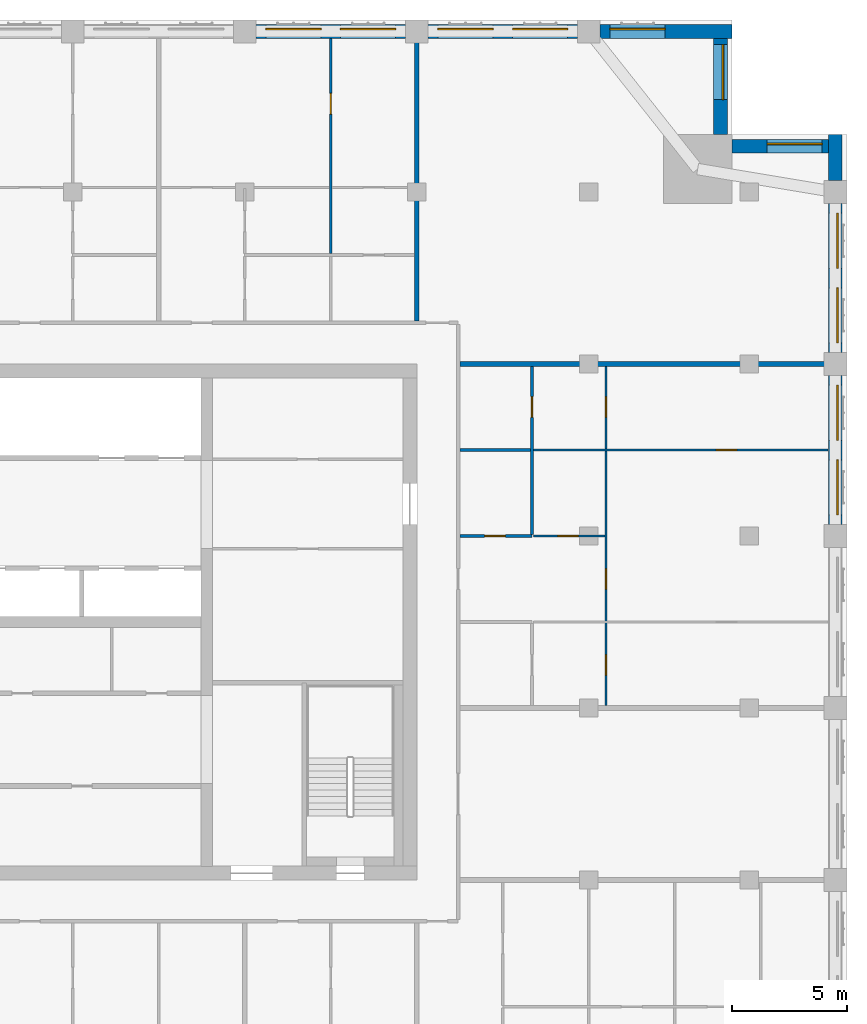
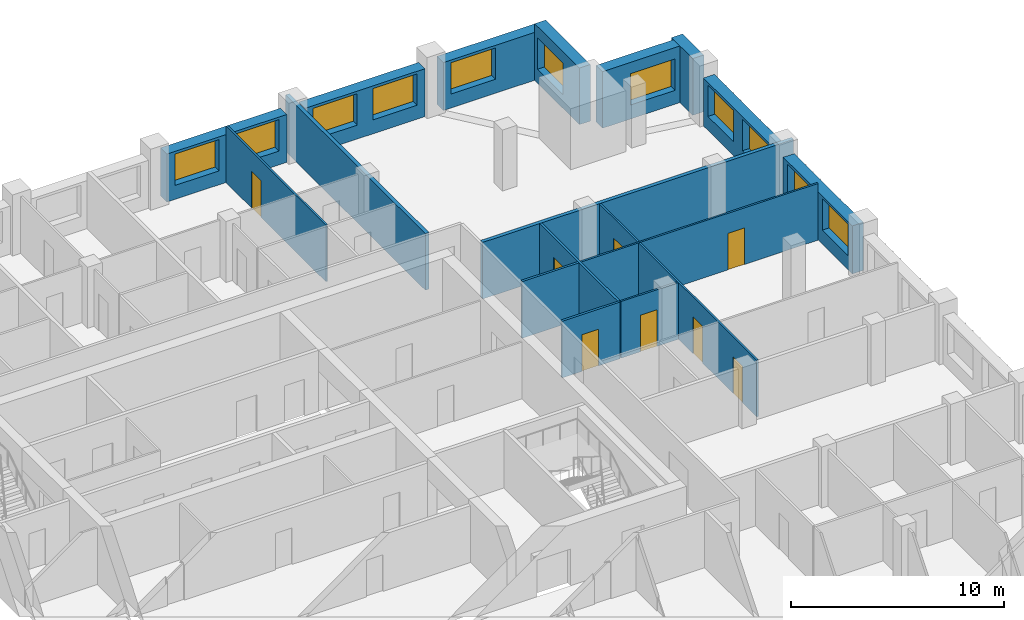
# One storey, part 8 of 11: 17 walls, 11 windows, 8 doors, 19 openings.
"""IFC4 building model written with IfcOpenShell, lengths in metres."""

from ifc_helpers import new_model, si_unit, direction, frame, frame_2d, origin, place, context, subcontext, project, spatial, rectangle, extrude, material, layer, layer_set, type_object, element, fill, save


model = new_model("IFC4")

# Units and contexts
model_context = context("Model", 3, precision=1e-05, world=origin(), true_north=direction((0.0, 1.0)))
body_context = subcontext(model_context, "Body", "Model", "MODEL_VIEW")
ifc_project = project(units=[si_unit("LENGTHUNIT", "METRE"), si_unit("AREAUNIT", "SQUARE_METRE"), si_unit("VOLUMEUNIT", "CUBIC_METRE"), si_unit("PLANEANGLEUNIT", "RADIAN"), si_unit("MASSUNIT", "GRAM", prefix="KILO")], contexts=[model_context])

# Site, building, storey
site_placement = place(None, origin())
site = spatial("IfcSite", under=ifc_project, at=site_placement, CompositionType="ELEMENT")
building_placement = place(site_placement, origin())
building = spatial("IfcBuilding", under=site, at=building_placement, Name="Tamorin Gate", CompositionType="ELEMENT")
storey_placement = place(building_placement, frame((0.0, 0.0, 233.699951171875)))
storey = spatial("IfcBuildingStorey", under=building, at=storey_placement, Name="L58", CompositionType="ELEMENT", Elevation=233.699951171875)

# Wall, openings, windows
ifc_material_1 = material(Name="Precast concrete C40/50", Category="concrete")
ifc_layer_1 = layer(ifc_material_1, 0.60009765625)
ifc_layer_set_1 = layer_set([ifc_layer_1], Name="Precast concrete C40/50")
wall_type_1 = type_object("IfcWallType", Name="Board-marked concrete facade panel 600", PredefinedType="SOLIDWALL", material=ifc_layer_set_1)
wall_1_placement = place(storey_placement, frame((78.25, 75.5, 0.0), z_axis=(0.0, 0.0, 1.0), x_axis=(0.0, 1.0, 0.0)))
wall_1 = element("IfcWall", 1, at=wall_1_placement, inside=storey, type_object=wall_type_1, Name="Facade panel", PredefinedType="SOLIDWALL", context=body_context, shape_type="SweptSolid", body=[
    extrude(rectangle(XDim=6.5, YDim=0.60009765625, at=frame_2d((3.25, 0.0))), origin(), (0.0, 0.0, 1.0), 2.75),
])
opening_1_placement = place(wall_1_placement, frame((0.425048828125, 0.0, 0.800048828125)))
opening_1 = element("IfcOpeningElement", 2, at=opening_1_placement, cuts=wall_1, Name="Opening WN1", PredefinedType="OPENING", context=body_context, shape_type="SweptSolid", body=[
    extrude(rectangle(XDim=2.39990234375, YDim=1.800048828125, at=frame_2d((1.199951171875, 0.89990234375))), frame((0.0, 0.31005859375, 0.0), z_axis=(0.0, -1.0, 0.0), x_axis=(1.0, 0.0, 0.0)), (0.0, 0.0, 1.0), 0.6201171875),
])
opening_2_placement = place(wall_1_placement, frame((3.675048828125, 0.0, 0.800048828125)))
opening_2 = element("IfcOpeningElement", 3, at=opening_2_placement, cuts=wall_1, Name="Opening WN1", PredefinedType="OPENING", context=body_context, shape_type="SweptSolid", body=[
    extrude(rectangle(XDim=2.39990234375, YDim=1.800048828125, at=frame_2d((1.199951171875, 0.89990234375))), frame((0.0, 0.31005859375, 0.0), z_axis=(0.0, -1.0, 0.0), x_axis=(1.0, 0.0, 0.0)), (0.0, 0.0, 1.0), 0.6201171875),
])
ifc_material_2 = material(Name="Clear glass in aluminium frame", Category="aluminium")
window_type = type_object("IfcWindowType", Name="Deep-set window 2400x1800", PartitioningType="SINGLE_PANEL", PredefinedType="WINDOW", material=ifc_material_2)
window_1_placement = place(opening_1_placement, origin())
window_1 = element("IfcWindow", 4, at=window_1_placement, inside=storey, type_object=window_type, Name="Deep-set window", OverallHeight=1.800048828125, OverallWidth=2.39990234375, PartitioningType="SINGLE_PANEL", PredefinedType="WINDOW", context=body_context, shape_type="SweptSolid", body=[
    extrude(rectangle(XDim=2.39990234375, YDim=1.800048828125, at=frame_2d((1.199951171875, 0.89990234375))), frame((0.0, -0.070068359375, 0.0), z_axis=(0.0, -1.0, 0.0), x_axis=(1.0, 0.0, 0.0)), (0.0, 0.0, 1.0), 0.06005859375),
])
fill(opening_1, window_1)
window_2_placement = place(opening_2_placement, origin())
window_2 = element("IfcWindow", 5, at=window_2_placement, inside=storey, type_object=window_type, Name="Deep-set window", OverallHeight=1.800048828125, OverallWidth=2.39990234375, PartitioningType="SINGLE_PANEL", PredefinedType="WINDOW", context=body_context, shape_type="SweptSolid", body=[
    extrude(rectangle(XDim=2.39990234375, YDim=1.800048828125, at=frame_2d((1.199951171875, 0.89990234375))), frame((0.0, -0.070068359375, 0.0), z_axis=(0.0, -1.0, 0.0), x_axis=(1.0, 0.0, 0.0)), (0.0, 0.0, 1.0), 0.06005859375),
])
fill(opening_2, window_2)

wall_2_placement = place(storey_placement, frame((78.25, 83.0, 0.0), z_axis=(0.0, 0.0, 1.0), x_axis=(0.0, 1.0, 0.0)))
wall_2 = element("IfcWall", 6, at=wall_2_placement, inside=storey, type_object=wall_type_1, Name="Facade panel", PredefinedType="SOLIDWALL", context=body_context, shape_type="SweptSolid", body=[
    extrude(rectangle(XDim=6.5, YDim=0.60009765625, at=frame_2d((3.25, 0.0))), origin(), (0.0, 0.0, 1.0), 2.75),
])
opening_3_placement = place(wall_2_placement, frame((0.425048828125, 0.0, 0.800048828125)))
opening_3 = element("IfcOpeningElement", 7, at=opening_3_placement, cuts=wall_2, Name="Opening WN1", PredefinedType="OPENING", context=body_context, shape_type="SweptSolid", body=[
    extrude(rectangle(XDim=2.39990234375, YDim=1.800048828125, at=frame_2d((1.199951171875, 0.89990234375))), frame((0.0, 0.31005859375, 0.0), z_axis=(0.0, -1.0, 0.0), x_axis=(1.0, 0.0, 0.0)), (0.0, 0.0, 1.0), 0.6201171875),
])
opening_4_placement = place(wall_2_placement, frame((3.675048828125, 0.0, 0.800048828125)))
opening_4 = element("IfcOpeningElement", 8, at=opening_4_placement, cuts=wall_2, Name="Opening WN1", PredefinedType="OPENING", context=body_context, shape_type="SweptSolid", body=[
    extrude(rectangle(XDim=2.39990234375, YDim=1.800048828125, at=frame_2d((1.199951171875, 0.89990234375))), frame((0.0, 0.31005859375, 0.0), z_axis=(0.0, -1.0, 0.0), x_axis=(1.0, 0.0, 0.0)), (0.0, 0.0, 1.0), 0.6201171875),
])
window_3_placement = place(opening_3_placement, origin())
window_3 = element("IfcWindow", 9, at=window_3_placement, inside=storey, type_object=window_type, Name="Deep-set window", OverallHeight=1.800048828125, OverallWidth=2.39990234375, PartitioningType="SINGLE_PANEL", PredefinedType="WINDOW", context=body_context, shape_type="SweptSolid", body=[
    extrude(rectangle(XDim=2.39990234375, YDim=1.800048828125, at=frame_2d((1.199951171875, 0.89990234375))), frame((0.0, -0.070068359375, 0.0), z_axis=(0.0, -1.0, 0.0), x_axis=(1.0, 0.0, 0.0)), (0.0, 0.0, 1.0), 0.06005859375),
])
fill(opening_3, window_3)
window_4_placement = place(opening_4_placement, origin())
window_4 = element("IfcWindow", 10, at=window_4_placement, inside=storey, type_object=window_type, Name="Deep-set window", OverallHeight=1.800048828125, OverallWidth=2.39990234375, PartitioningType="SINGLE_PANEL", PredefinedType="WINDOW", context=body_context, shape_type="SweptSolid", body=[
    extrude(rectangle(XDim=2.39990234375, YDim=1.800048828125, at=frame_2d((1.199951171875, 0.89990234375))), frame((0.0, -0.070068359375, 0.0), z_axis=(0.0, -1.0, 0.0), x_axis=(1.0, 0.0, 0.0)), (0.0, 0.0, 1.0), 0.06005859375),
])
fill(opening_4, window_4)

# Wall
wall_3_placement = place(storey_placement, frame((78.25, 90.5, 0.0), z_axis=(0.0, 0.0, 1.0), x_axis=(0.0, 1.0, 0.0)))
element("IfcWall", 11, at=wall_3_placement, inside=storey, type_object=wall_type_1, Name="Facade panel", PredefinedType="SOLIDWALL", context=body_context, shape_type="SweptSolid", body=[
    extrude(rectangle(XDim=2.0, YDim=0.60009765625, at=frame_2d((1.0, 0.0))), origin(), (0.0, 0.0, 1.0), 3.25),
])

# Wall, opening, window
wall_4_placement = place(storey_placement, frame((77.949951171875, 92.0, 0.0), z_axis=(0.0, 0.0, 1.0), x_axis=(-1.0, 0.0, 0.0)))
wall_4 = element("IfcWall", 12, at=wall_4_placement, inside=storey, type_object=wall_type_1, Name="Facade panel", PredefinedType="SOLIDWALL", context=body_context, shape_type="SweptSolid", body=[
    extrude(rectangle(XDim=4.199951171875, YDim=0.60009765625, at=frame_2d((2.10009765625, 0.0))), origin(), (0.0, 0.0, 1.0), 3.25),
])
opening_5_placement = place(wall_4_placement, frame((0.27490234375, 0.0, 0.800048828125)))
opening_5 = element("IfcOpeningElement", 13, at=opening_5_placement, cuts=wall_4, Name="Opening WN1", PredefinedType="OPENING", context=body_context, shape_type="SweptSolid", body=[
    extrude(rectangle(XDim=2.39990234375, YDim=1.800048828125, at=frame_2d((1.199951171875, 0.89990234375))), frame((0.0, 0.31005859375, 0.0), z_axis=(0.0, -1.0, 0.0), x_axis=(1.0, 0.0, 0.0)), (0.0, 0.0, 1.0), 0.6201171875),
])
window_5_placement = place(opening_5_placement, origin())
window_5 = element("IfcWindow", 14, at=window_5_placement, inside=storey, type_object=window_type, Name="Deep-set window", OverallHeight=1.800048828125, OverallWidth=2.39990234375, PartitioningType="SINGLE_PANEL", PredefinedType="WINDOW", context=body_context, shape_type="SweptSolid", body=[
    extrude(rectangle(XDim=2.39990234375, YDim=1.800048828125, at=frame_2d((1.199951171875, 0.89990234375))), frame((0.0, -0.070068359375, 0.0), z_axis=(0.0, -1.0, 0.0), x_axis=(1.0, 0.0, 0.0)), (0.0, 0.0, 1.0), 0.06005859375),
])
fill(opening_5, window_5)

wall_5_placement = place(storey_placement, frame((73.25, 92.5, 0.0), z_axis=(0.0, 0.0, 1.0), x_axis=(0.0, 1.0, 0.0)))
wall_5 = element("IfcWall", 15, at=wall_5_placement, inside=storey, type_object=wall_type_1, Name="Facade panel", PredefinedType="SOLIDWALL", context=body_context, shape_type="SweptSolid", body=[
    extrude(rectangle(XDim=4.199951171875, YDim=0.60009765625, at=frame_2d((2.10009765625, 0.0))), origin(), (0.0, 0.0, 1.0), 3.25),
])
opening_6_placement = place(wall_5_placement, frame((1.52490234375, 0.0, 0.800048828125)))
opening_6 = element("IfcOpeningElement", 16, at=opening_6_placement, cuts=wall_5, Name="Opening WN1", PredefinedType="OPENING", context=body_context, shape_type="SweptSolid", body=[
    extrude(rectangle(XDim=2.39990234375, YDim=1.800048828125, at=frame_2d((1.199951171875, 0.89990234375))), frame((0.0, 0.31005859375, 0.0), z_axis=(0.0, -1.0, 0.0), x_axis=(1.0, 0.0, 0.0)), (0.0, 0.0, 1.0), 0.6201171875),
])
window_6_placement = place(opening_6_placement, origin())
window_6 = element("IfcWindow", 17, at=window_6_placement, inside=storey, type_object=window_type, Name="Deep-set window", OverallHeight=1.800048828125, OverallWidth=2.39990234375, PartitioningType="SINGLE_PANEL", PredefinedType="WINDOW", context=body_context, shape_type="SweptSolid", body=[
    extrude(rectangle(XDim=2.39990234375, YDim=1.800048828125, at=frame_2d((1.199951171875, 0.89990234375))), frame((0.0, -0.070068359375, 0.0), z_axis=(0.0, -1.0, 0.0), x_axis=(1.0, 0.0, 0.0)), (0.0, 0.0, 1.0), 0.06005859375),
])
fill(opening_6, window_6)

wall_6_placement = place(storey_placement, frame((73.75, 97.0, 0.0), z_axis=(0.0, 0.0, 1.0), x_axis=(-1.0, 0.0, 0.0)))
wall_6 = element("IfcWall", 18, at=wall_6_placement, inside=storey, type_object=wall_type_1, Name="Facade panel", PredefinedType="SOLIDWALL", context=body_context, shape_type="SweptSolid", body=[
    extrude(rectangle(XDim=5.75, YDim=0.60009765625, at=frame_2d((2.875, 0.0))), origin(), (0.0, 0.0, 1.0), 2.75),
])
opening_7_placement = place(wall_6_placement, frame((2.925048828125, 0.0, 0.800048828125)))
opening_7 = element("IfcOpeningElement", 19, at=opening_7_placement, cuts=wall_6, Name="Opening WN1", PredefinedType="OPENING", context=body_context, shape_type="SweptSolid", body=[
    extrude(rectangle(XDim=2.39990234375, YDim=1.800048828125, at=frame_2d((1.199951171875, 0.89990234375))), frame((0.0, 0.31005859375, 0.0), z_axis=(0.0, -1.0, 0.0), x_axis=(1.0, 0.0, 0.0)), (0.0, 0.0, 1.0), 0.6201171875),
])
window_7_placement = place(opening_7_placement, origin())
window_7 = element("IfcWindow", 20, at=window_7_placement, inside=storey, type_object=window_type, Name="Deep-set window", OverallHeight=1.800048828125, OverallWidth=2.39990234375, PartitioningType="SINGLE_PANEL", PredefinedType="WINDOW", context=body_context, shape_type="SweptSolid", body=[
    extrude(rectangle(XDim=2.39990234375, YDim=1.800048828125, at=frame_2d((1.199951171875, 0.89990234375))), frame((0.0, -0.070068359375, 0.0), z_axis=(0.0, -1.0, 0.0), x_axis=(1.0, 0.0, 0.0)), (0.0, 0.0, 1.0), 0.06005859375),
])
fill(opening_7, window_7)

# Wall, openings, windows
wall_7_placement = place(storey_placement, frame((67.0, 97.0, 0.0), z_axis=(0.0, 0.0, 1.0), x_axis=(-1.0, 0.0, 0.0)))
wall_7 = element("IfcWall", 21, at=wall_7_placement, inside=storey, type_object=wall_type_1, Name="Facade panel", PredefinedType="SOLIDWALL", context=body_context, shape_type="SweptSolid", body=[
    extrude(rectangle(XDim=6.5, YDim=0.60009765625, at=frame_2d((3.25, 0.0))), origin(), (0.0, 0.0, 1.0), 2.75),
])
opening_8_placement = place(wall_7_placement, frame((3.675048828125, 0.0, 0.800048828125)))
opening_8 = element("IfcOpeningElement", 22, at=opening_8_placement, cuts=wall_7, Name="Opening WN1", PredefinedType="OPENING", context=body_context, shape_type="SweptSolid", body=[
    extrude(rectangle(XDim=2.39990234375, YDim=1.800048828125, at=frame_2d((1.199951171875, 0.89990234375))), frame((0.0, 0.31005859375, 0.0), z_axis=(0.0, -1.0, 0.0), x_axis=(1.0, 0.0, 0.0)), (0.0, 0.0, 1.0), 0.6201171875),
])
opening_9_placement = place(wall_7_placement, frame((0.425048828125, 0.0, 0.800048828125)))
opening_9 = element("IfcOpeningElement", 23, at=opening_9_placement, cuts=wall_7, Name="Opening WN1", PredefinedType="OPENING", context=body_context, shape_type="SweptSolid", body=[
    extrude(rectangle(XDim=2.39990234375, YDim=1.800048828125, at=frame_2d((1.199951171875, 0.89990234375))), frame((0.0, 0.31005859375, 0.0), z_axis=(0.0, -1.0, 0.0), x_axis=(1.0, 0.0, 0.0)), (0.0, 0.0, 1.0), 0.6201171875),
])
window_8_placement = place(opening_8_placement, origin())
window_8 = element("IfcWindow", 24, at=window_8_placement, inside=storey, type_object=window_type, Name="Deep-set window", OverallHeight=1.800048828125, OverallWidth=2.39990234375, PartitioningType="SINGLE_PANEL", PredefinedType="WINDOW", context=body_context, shape_type="SweptSolid", body=[
    extrude(rectangle(XDim=2.39990234375, YDim=1.800048828125, at=frame_2d((1.199951171875, 0.89990234375))), frame((0.0, -0.070068359375, 0.0), z_axis=(0.0, -1.0, 0.0), x_axis=(1.0, 0.0, 0.0)), (0.0, 0.0, 1.0), 0.06005859375),
])
fill(opening_8, window_8)
window_9_placement = place(opening_9_placement, origin())
window_9 = element("IfcWindow", 25, at=window_9_placement, inside=storey, type_object=window_type, Name="Deep-set window", OverallHeight=1.800048828125, OverallWidth=2.39990234375, PartitioningType="SINGLE_PANEL", PredefinedType="WINDOW", context=body_context, shape_type="SweptSolid", body=[
    extrude(rectangle(XDim=2.39990234375, YDim=1.800048828125, at=frame_2d((1.199951171875, 0.89990234375))), frame((0.0, -0.070068359375, 0.0), z_axis=(0.0, -1.0, 0.0), x_axis=(1.0, 0.0, 0.0)), (0.0, 0.0, 1.0), 0.06005859375),
])
fill(opening_9, window_9)

wall_8_placement = place(storey_placement, frame((59.5, 97.0, 0.0), z_axis=(0.0, 0.0, 1.0), x_axis=(-1.0, 0.0, 0.0)))
wall_8 = element("IfcWall", 26, at=wall_8_placement, inside=storey, type_object=wall_type_1, Name="Facade panel", PredefinedType="SOLIDWALL", context=body_context, shape_type="SweptSolid", body=[
    extrude(rectangle(XDim=6.5, YDim=0.60009765625, at=frame_2d((3.25, 0.0))), origin(), (0.0, 0.0, 1.0), 2.75),
])
opening_10_placement = place(wall_8_placement, frame((3.675048828125, 0.0, 0.800048828125)))
opening_10 = element("IfcOpeningElement", 27, at=opening_10_placement, cuts=wall_8, Name="Opening WN1", PredefinedType="OPENING", context=body_context, shape_type="SweptSolid", body=[
    extrude(rectangle(XDim=2.39990234375, YDim=1.800048828125, at=frame_2d((1.199951171875, 0.89990234375))), frame((0.0, 0.31005859375, 0.0), z_axis=(0.0, -1.0, 0.0), x_axis=(1.0, 0.0, 0.0)), (0.0, 0.0, 1.0), 0.6201171875),
])
opening_11_placement = place(wall_8_placement, frame((0.425048828125, 0.0, 0.800048828125)))
opening_11 = element("IfcOpeningElement", 28, at=opening_11_placement, cuts=wall_8, Name="Opening WN1", PredefinedType="OPENING", context=body_context, shape_type="SweptSolid", body=[
    extrude(rectangle(XDim=2.39990234375, YDim=1.800048828125, at=frame_2d((1.199951171875, 0.89990234375))), frame((0.0, 0.31005859375, 0.0), z_axis=(0.0, -1.0, 0.0), x_axis=(1.0, 0.0, 0.0)), (0.0, 0.0, 1.0), 0.6201171875),
])
window_10_placement = place(opening_10_placement, origin())
window_10 = element("IfcWindow", 29, at=window_10_placement, inside=storey, type_object=window_type, Name="Deep-set window", OverallHeight=1.800048828125, OverallWidth=2.39990234375, PartitioningType="SINGLE_PANEL", PredefinedType="WINDOW", context=body_context, shape_type="SweptSolid", body=[
    extrude(rectangle(XDim=2.39990234375, YDim=1.800048828125, at=frame_2d((1.199951171875, 0.89990234375))), frame((0.0, -0.070068359375, 0.0), z_axis=(0.0, -1.0, 0.0), x_axis=(1.0, 0.0, 0.0)), (0.0, 0.0, 1.0), 0.06005859375),
])
fill(opening_10, window_10)
window_11_placement = place(opening_11_placement, origin())
window_11 = element("IfcWindow", 30, at=window_11_placement, inside=storey, type_object=window_type, Name="Deep-set window", OverallHeight=1.800048828125, OverallWidth=2.39990234375, PartitioningType="SINGLE_PANEL", PredefinedType="WINDOW", context=body_context, shape_type="SweptSolid", body=[
    extrude(rectangle(XDim=2.39990234375, YDim=1.800048828125, at=frame_2d((1.199951171875, 0.89990234375))), frame((0.0, -0.070068359375, 0.0), z_axis=(0.0, -1.0, 0.0), x_axis=(1.0, 0.0, 0.0)), (0.0, 0.0, 1.0), 0.06005859375),
])
fill(opening_11, window_11)

# Walls
ifc_material_3 = material(Name="Gypsum board partition")
ifc_layer_2 = layer(ifc_material_3, 0.199951171875)
ifc_layer_set_2 = layer_set([ifc_layer_2], Name="Demising wall 200")
wall_type_2 = type_object("IfcWallType", Name="Demising wall 200", PredefinedType="PARTITIONING", material=ifc_layer_set_2)
wall_9_placement = place(storey_placement, frame((61.875, 82.5, 0.0), z_axis=(0.0, 0.0, 1.0), x_axis=(1.0, 0.0, 0.0)))
element("IfcWall", 31, at=wall_9_placement, inside=storey, type_object=wall_type_2, Name="Demising wall 200", PredefinedType="PARTITIONING", context=body_context, shape_type="SweptSolid", body=[
    extrude(rectangle(XDim=16.875, YDim=0.199951171875, at=frame_2d((8.4375, 0.0))), origin(), (0.0, 0.0, 1.0), 3.25),
])
wall_10_placement = place(storey_placement, frame((60.0, 84.375, 0.0), z_axis=(0.0, 0.0, 1.0), x_axis=(0.0, 1.0, 0.0)))
element("IfcWall", 32, at=wall_10_placement, inside=storey, type_object=wall_type_2, Name="Demising wall 200", PredefinedType="PARTITIONING", context=body_context, shape_type="SweptSolid", body=[
    extrude(rectangle(XDim=13.125, YDim=0.199951171875, at=frame_2d((6.5625, 0.0))), origin(), (0.0, 0.0, 1.0), 3.25),
])

# Wall, opening, door
ifc_layer_3 = layer(ifc_material_3, 0.10009765625)
ifc_layer_set_3 = layer_set([ifc_layer_3], Name="Room partition 100")
wall_type_3 = type_object("IfcWallType", Name="Room partition 100", PredefinedType="PARTITIONING", material=ifc_layer_set_3)
wall_11_placement = place(storey_placement, frame((65.08740234375, 75.0, 0.0), z_axis=(0.0, 0.0, 1.0), x_axis=(1.0, 0.0, 0.0)))
wall_11 = element("IfcWall", 33, at=wall_11_placement, inside=storey, type_object=wall_type_3, Name="Room partition 100", PredefinedType="PARTITIONING", context=body_context, shape_type="SweptSolid", body=[
    extrude(rectangle(XDim=3.112548828125, YDim=0.10009765625, at=frame_2d((1.55615234375, 0.0))), origin(), (0.0, 0.0, 1.0), 3.25),
])
opening_12_placement = place(wall_11_placement, frame((1.050048828125, 0.0, 0.0)))
opening_12 = element("IfcOpeningElement", 34, at=opening_12_placement, cuts=wall_11, Name="Opening DR8050", PredefinedType="OPENING", context=body_context, shape_type="SweptSolid", body=[
    extrude(rectangle(XDim=0.89990234375, YDim=2.10009765625, at=frame_2d((0.449951171875, 1.050048828125))), frame((0.0, 0.06005859375, 0.0), z_axis=(0.0, -1.0, 0.0), x_axis=(1.0, 0.0, 0.0)), (0.0, 0.0, 1.0), 0.1201171875),
])
ifc_material_4 = material(Name="Timber door leaf", Category="wood")
door_type = type_object("IfcDoorType", Name="Door 900 x 2100", OperationType="NOTDEFINED", PredefinedType="DOOR", material=ifc_material_4)
door_1_placement = place(opening_12_placement, origin())
door_1 = element("IfcDoor", 35, at=door_1_placement, inside=storey, type_object=door_type, Name="Door DR8050", OperationType="SINGLE_SWING_LEFT", OverallHeight=2.10009765625, OverallWidth=0.89990234375, PredefinedType="DOOR", context=body_context, shape_type="SweptSolid", body=[
    extrude(rectangle(XDim=0.89990234375, YDim=2.10009765625, at=frame_2d((0.449951171875, 1.050048828125))), frame((0.0, 0.02490234375, 0.0), z_axis=(0.0, -1.0, 0.0), x_axis=(1.0, 0.0, 0.0)), (0.0, 0.0, 1.0), 0.050048828125),
])
fill(opening_12, door_1)

wall_12_placement = place(storey_placement, frame((65.08740234375, 78.75, 0.0), z_axis=(0.0, 0.0, 1.0), x_axis=(1.0, 0.0, 0.0)))
wall_12 = element("IfcWall", 36, at=wall_12_placement, inside=storey, type_object=wall_type_3, Name="Room partition 100", PredefinedType="PARTITIONING", context=body_context, shape_type="SweptSolid", body=[
    extrude(rectangle(XDim=12.8525390625, YDim=0.10009765625, at=frame_2d((6.42626953125, 0.0))), origin(), (0.0, 0.0, 1.0), 3.25),
])
opening_13_placement = place(wall_12_placement, frame((7.96240234375, 0.0, 0.0)))
opening_13 = element("IfcOpeningElement", 37, at=opening_13_placement, cuts=wall_12, Name="Opening DR8055", PredefinedType="OPENING", context=body_context, shape_type="SweptSolid", body=[
    extrude(rectangle(XDim=0.89990234375, YDim=2.10009765625, at=frame_2d((0.449951171875, 1.050048828125))), frame((0.0, 0.06005859375, 0.0), z_axis=(0.0, -1.0, 0.0), x_axis=(1.0, 0.0, 0.0)), (0.0, 0.0, 1.0), 0.1201171875),
])
door_2_placement = place(opening_13_placement, origin())
door_2 = element("IfcDoor", 38, at=door_2_placement, inside=storey, type_object=door_type, Name="Door DR8055", OperationType="SINGLE_SWING_RIGHT", OverallHeight=2.10009765625, OverallWidth=0.89990234375, PredefinedType="DOOR", context=body_context, shape_type="SweptSolid", body=[
    extrude(rectangle(XDim=0.89990234375, YDim=2.10009765625, at=frame_2d((0.449951171875, 1.050048828125))), frame((0.0, 0.02490234375, 0.0), z_axis=(0.0, -1.0, 0.0), x_axis=(1.0, 0.0, 0.0)), (0.0, 0.0, 1.0), 0.050048828125),
])
fill(opening_13, door_2)

wall_13_placement = place(storey_placement, frame((56.25, 87.3125, 0.0), z_axis=(0.0, 0.0, 1.0), x_axis=(0.0, 1.0, 0.0)))
wall_13 = element("IfcWall", 39, at=wall_13_placement, inside=storey, type_object=wall_type_3, Name="Room partition 100", PredefinedType="PARTITIONING", context=body_context, shape_type="SweptSolid", body=[
    extrude(rectangle(XDim=9.37744140625, YDim=0.10009765625, at=frame_2d((4.688720703125, 0.0))), origin(), (0.0, 0.0, 1.0), 3.25),
])
opening_14_placement = place(wall_13_placement, frame((6.08740234375, 0.0, 0.0)))
opening_14 = element("IfcOpeningElement", 40, at=opening_14_placement, cuts=wall_13, Name="Opening DR8043", PredefinedType="OPENING", context=body_context, shape_type="SweptSolid", body=[
    extrude(rectangle(XDim=0.89990234375, YDim=2.10009765625, at=frame_2d((0.449951171875, 1.050048828125))), frame((0.0, 0.06005859375, 0.0), z_axis=(0.0, -1.0, 0.0), x_axis=(1.0, 0.0, 0.0)), (0.0, 0.0, 1.0), 0.1201171875),
])
door_3_placement = place(opening_14_placement, origin())
door_3 = element("IfcDoor", 41, at=door_3_placement, inside=storey, type_object=door_type, Name="Door DR8043", OperationType="SINGLE_SWING_LEFT", OverallHeight=2.10009765625, OverallWidth=0.89990234375, PredefinedType="DOOR", context=body_context, shape_type="SweptSolid", body=[
    extrude(rectangle(XDim=0.89990234375, YDim=2.10009765625, at=frame_2d((0.449951171875, 1.050048828125))), frame((0.0, 0.02490234375, 0.0), z_axis=(0.0, -1.0, 0.0), x_axis=(1.0, 0.0, 0.0)), (0.0, 0.0, 1.0), 0.050048828125),
])
fill(opening_14, door_3)

# Wall, openings, doors
wall_14_placement = place(storey_placement, frame((68.25, 67.60009765625, 0.0), z_axis=(0.0, 0.0, 1.0), x_axis=(0.0, 1.0, 0.0)))
wall_14 = element("IfcWall", 42, at=wall_14_placement, inside=storey, type_object=wall_type_3, Name="Room partition 100", PredefinedType="PARTITIONING", context=body_context, shape_type="SweptSolid", body=[
    extrude(rectangle(XDim=14.7998046875, YDim=0.10009765625, at=frame_2d((7.39990234375, 0.0))), origin(), (0.0, 0.0, 1.0), 3.25),
])
opening_15_placement = place(wall_14_placement, frame((1.324951171875, 0.0, 0.0)))
opening_15 = element("IfcOpeningElement", 43, at=opening_15_placement, cuts=wall_14, Name="Opening DR8046", PredefinedType="OPENING", context=body_context, shape_type="SweptSolid", body=[
    extrude(rectangle(XDim=0.89990234375, YDim=2.10009765625, at=frame_2d((0.449951171875, 1.050048828125))), frame((0.0, 0.06005859375, 0.0), z_axis=(0.0, -1.0, 0.0), x_axis=(1.0, 0.0, 0.0)), (0.0, 0.0, 1.0), 0.1201171875),
])
opening_16_placement = place(wall_14_placement, frame((5.074951171875, 0.0, 0.0)))
opening_16 = element("IfcOpeningElement", 44, at=opening_16_placement, cuts=wall_14, Name="Opening DR8049", PredefinedType="OPENING", context=body_context, shape_type="SweptSolid", body=[
    extrude(rectangle(XDim=0.89990234375, YDim=2.10009765625, at=frame_2d((0.449951171875, 1.050048828125))), frame((0.0, 0.06005859375, 0.0), z_axis=(0.0, -1.0, 0.0), x_axis=(1.0, 0.0, 0.0)), (0.0, 0.0, 1.0), 0.1201171875),
])
opening_17_placement = place(wall_14_placement, frame((12.574951171875, 0.0, 0.0)))
opening_17 = element("IfcOpeningElement", 45, at=opening_17_placement, cuts=wall_14, Name="Opening DR8052", PredefinedType="OPENING", context=body_context, shape_type="SweptSolid", body=[
    extrude(rectangle(XDim=0.89990234375, YDim=2.10009765625, at=frame_2d((0.449951171875, 1.050048828125))), frame((0.0, 0.06005859375, 0.0), z_axis=(0.0, -1.0, 0.0), x_axis=(1.0, 0.0, 0.0)), (0.0, 0.0, 1.0), 0.1201171875),
])
door_4_placement = place(opening_15_placement, origin())
door_4 = element("IfcDoor", 46, at=door_4_placement, inside=storey, type_object=door_type, Name="Door DR8046", OperationType="SINGLE_SWING_LEFT", OverallHeight=2.10009765625, OverallWidth=0.89990234375, PredefinedType="DOOR", context=body_context, shape_type="SweptSolid", body=[
    extrude(rectangle(XDim=0.89990234375, YDim=2.10009765625, at=frame_2d((0.449951171875, 1.050048828125))), frame((0.0, 0.02490234375, 0.0), z_axis=(0.0, -1.0, 0.0), x_axis=(1.0, 0.0, 0.0)), (0.0, 0.0, 1.0), 0.050048828125),
])
fill(opening_15, door_4)
door_5_placement = place(opening_16_placement, origin())
door_5 = element("IfcDoor", 47, at=door_5_placement, inside=storey, type_object=door_type, Name="Door DR8049", OperationType="SINGLE_SWING_LEFT", OverallHeight=2.10009765625, OverallWidth=0.89990234375, PredefinedType="DOOR", context=body_context, shape_type="SweptSolid", body=[
    extrude(rectangle(XDim=0.89990234375, YDim=2.10009765625, at=frame_2d((0.449951171875, 1.050048828125))), frame((0.0, 0.02490234375, 0.0), z_axis=(0.0, -1.0, 0.0), x_axis=(1.0, 0.0, 0.0)), (0.0, 0.0, 1.0), 0.050048828125),
])
fill(opening_16, door_5)
door_6_placement = place(opening_17_placement, origin())
door_6 = element("IfcDoor", 48, at=door_6_placement, inside=storey, type_object=door_type, Name="Door DR8052", OperationType="SINGLE_SWING_LEFT", OverallHeight=2.10009765625, OverallWidth=0.89990234375, PredefinedType="DOOR", context=body_context, shape_type="SweptSolid", body=[
    extrude(rectangle(XDim=0.89990234375, YDim=2.10009765625, at=frame_2d((0.449951171875, 1.050048828125))), frame((0.0, 0.02490234375, 0.0), z_axis=(0.0, -1.0, 0.0), x_axis=(1.0, 0.0, 0.0)), (0.0, 0.0, 1.0), 0.050048828125),
])
fill(opening_17, door_6)

# Wall, opening, door
ifc_layer_4 = layer(ifc_material_3, 0.125)
ifc_layer_set_4 = layer_set([ifc_layer_4], Name="Wet wall 125")
wall_type_4 = type_object("IfcWallType", Name="Wet wall 125", PredefinedType="PARTITIONING", material=ifc_layer_set_4)
wall_15_placement = place(storey_placement, frame((61.875, 75.0, 0.0), z_axis=(0.0, 0.0, 1.0), x_axis=(1.0, 0.0, 0.0)))
wall_15 = element("IfcWall", 49, at=wall_15_placement, inside=storey, type_object=wall_type_4, Name="Wet wall 125", PredefinedType="PARTITIONING", context=body_context, shape_type="SweptSolid", body=[
    extrude(rectangle(XDim=3.14990234375, YDim=0.125, at=frame_2d((1.574951171875, 0.0))), origin(), (0.0, 0.0, 1.0), 3.25),
])
opening_18_placement = place(wall_15_placement, frame((1.08740234375, 0.0, 0.0)))
opening_18 = element("IfcOpeningElement", 50, at=opening_18_placement, cuts=wall_15, Name="Opening DR8051", PredefinedType="OPENING", context=body_context, shape_type="SweptSolid", body=[
    extrude(rectangle(XDim=0.89990234375, YDim=2.10009765625, at=frame_2d((0.449951171875, 1.050048828125))), frame((0.0, 0.072509765625, 0.0), z_axis=(0.0, -1.0, 0.0), x_axis=(1.0, 0.0, 0.0)), (0.0, 0.0, 1.0), 0.14501953125),
])
door_7_placement = place(opening_18_placement, origin())
door_7 = element("IfcDoor", 51, at=door_7_placement, inside=storey, type_object=door_type, Name="Door DR8051", OperationType="SINGLE_SWING_RIGHT", OverallHeight=2.10009765625, OverallWidth=0.89990234375, PredefinedType="DOOR", context=body_context, shape_type="SweptSolid", body=[
    extrude(rectangle(XDim=0.89990234375, YDim=2.10009765625, at=frame_2d((0.449951171875, 1.050048828125))), frame((0.0, 0.02490234375, 0.0), z_axis=(0.0, -1.0, 0.0), x_axis=(1.0, 0.0, 0.0)), (0.0, 0.0, 1.0), 0.050048828125),
])
fill(opening_18, door_7)

# Wall
wall_16_placement = place(storey_placement, frame((61.875, 78.75, 0.0), z_axis=(0.0, 0.0, 1.0), x_axis=(1.0, 0.0, 0.0)))
element("IfcWall", 52, at=wall_16_placement, inside=storey, type_object=wall_type_4, Name="Wet wall 125", PredefinedType="PARTITIONING", context=body_context, shape_type="SweptSolid", body=[
    extrude(rectangle(XDim=3.08740234375, YDim=0.125, at=frame_2d((1.543701171875, 0.0))), origin(), (0.0, 0.0, 1.0), 3.25),
])

# Wall, opening, door
wall_17_placement = place(storey_placement, frame((65.02490234375, 75.0625, 0.0), z_axis=(0.0, 0.0, 1.0), x_axis=(0.0, 1.0, 0.0)))
wall_17 = element("IfcWall", 53, at=wall_17_placement, inside=storey, type_object=wall_type_4, Name="Wet wall 125", PredefinedType="PARTITIONING", context=body_context, shape_type="SweptSolid", body=[
    extrude(rectangle(XDim=7.33740234375, YDim=0.125, at=frame_2d((3.668701171875, 0.0))), origin(), (0.0, 0.0, 1.0), 3.25),
])
opening_19_placement = place(wall_17_placement, frame((5.112548828125, 0.0, 0.0)))
opening_19 = element("IfcOpeningElement", 54, at=opening_19_placement, cuts=wall_17, Name="Opening DR8053", PredefinedType="OPENING", context=body_context, shape_type="SweptSolid", body=[
    extrude(rectangle(XDim=0.89990234375, YDim=2.10009765625, at=frame_2d((0.449951171875, 1.050048828125))), frame((0.0, 0.072509765625, 0.0), z_axis=(0.0, -1.0, 0.0), x_axis=(1.0, 0.0, 0.0)), (0.0, 0.0, 1.0), 0.14501953125),
])
door_8_placement = place(opening_19_placement, origin())
door_8 = element("IfcDoor", 55, at=door_8_placement, inside=storey, type_object=door_type, Name="Door DR8053", OperationType="SINGLE_SWING_LEFT", OverallHeight=2.10009765625, OverallWidth=0.89990234375, PredefinedType="DOOR", context=body_context, shape_type="SweptSolid", body=[
    extrude(rectangle(XDim=0.89990234375, YDim=2.10009765625, at=frame_2d((0.449951171875, 1.050048828125))), frame((0.0, 0.02490234375, 0.0), z_axis=(0.0, -1.0, 0.0), x_axis=(1.0, 0.0, 0.0)), (0.0, 0.0, 1.0), 0.050048828125),
])
fill(opening_19, door_8)

save(model, "model.ifc")
